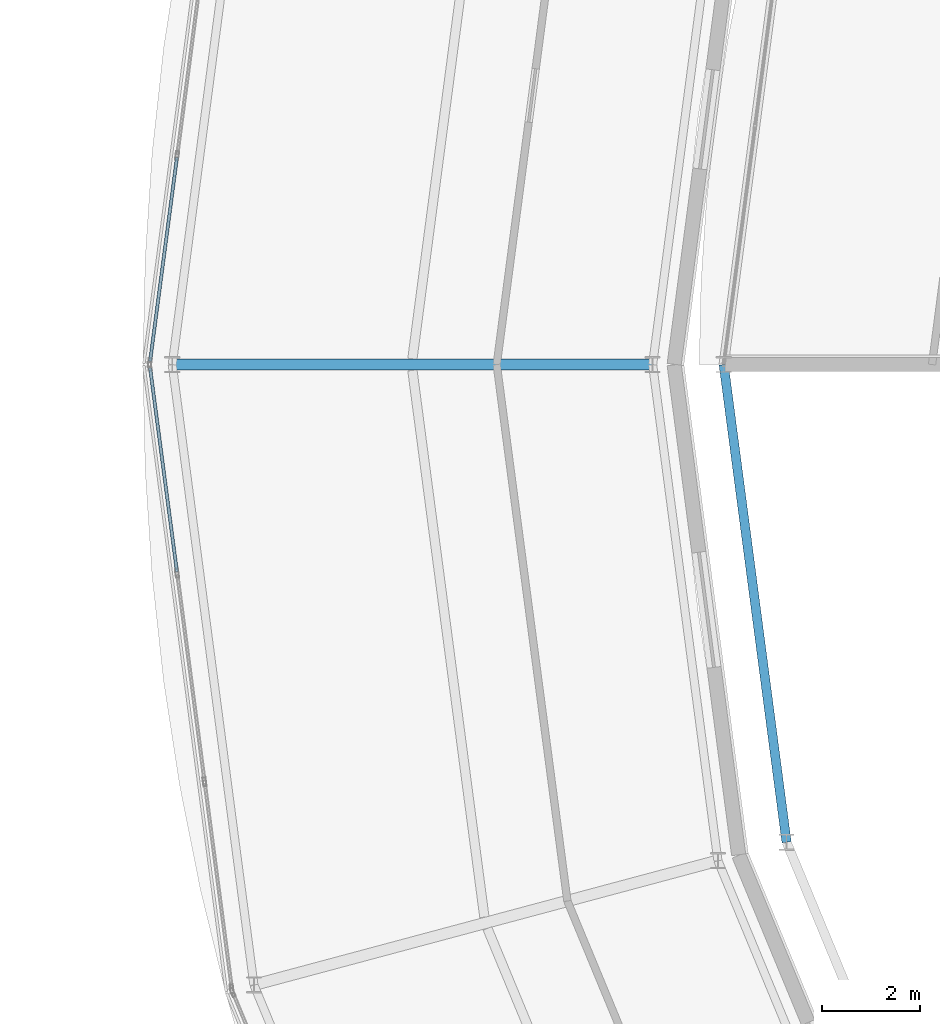
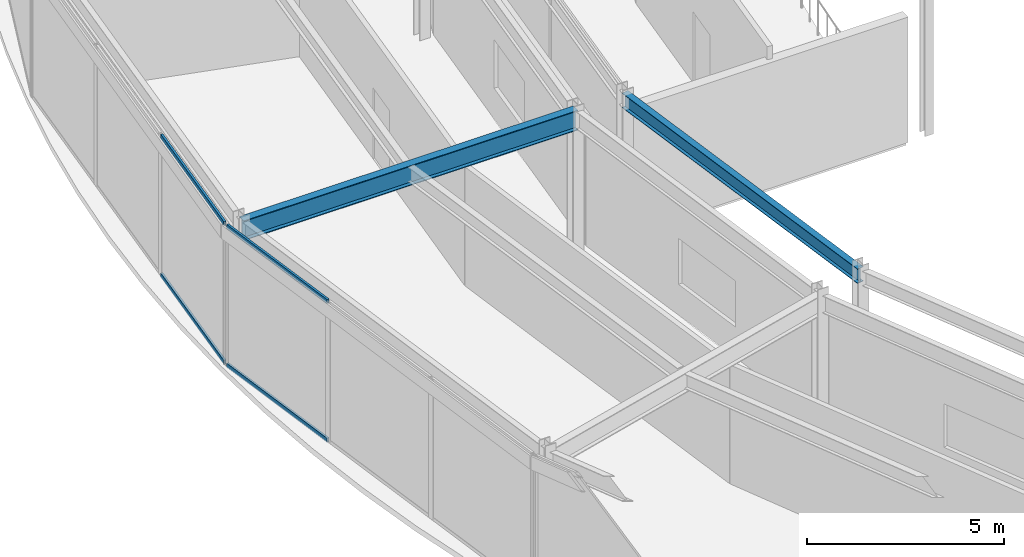
# One storey, part 31 of 133: 4 members, 2 beams, 2 elements without a shape of their own.
"""IFC4 building model written with IfcOpenShell, lengths in metres."""

from ifc_helpers import new_model, si_unit, direction, frame, origin, origin_2d, place, context, subcontext, project, spatial, hollow_rectangle, i_section, extrude, material, material_profile, profile_set, type_object, element, aggregate, save


model = new_model("IFC4")

# Units and contexts
model_context = context("Model", 3, precision=1e-05, world=origin(), true_north=direction((0.0, 1.0)))
body_context = subcontext(model_context, "Body", "Model", "MODEL_VIEW")
ifc_project = project(units=[si_unit("LENGTHUNIT", "METRE"), si_unit("AREAUNIT", "SQUARE_METRE"), si_unit("VOLUMEUNIT", "CUBIC_METRE"), si_unit("PLANEANGLEUNIT", "RADIAN"), si_unit("MASSUNIT", "GRAM", prefix="KILO")], contexts=[model_context])

# Site, building, storey
site_placement = place(None, origin())
site = spatial("IfcSite", under=ifc_project, at=site_placement, CompositionType="ELEMENT")
building_placement = place(site_placement, origin())
building = spatial("IfcBuilding", under=site, at=building_placement, Name="Almandine Court Research Institute", CompositionType="ELEMENT")
storey_placement = place(building_placement, frame((0.0, 0.0, 9.800048828125)))
storey = spatial("IfcBuildingStorey", under=building, at=storey_placement, Name="L02", CompositionType="ELEMENT", Elevation=9.800048828125)

# Beams
ifc_material_1 = material(Name="Steel ASTM A992 Grade 50", Category="steel")
ifc_material_profile_1 = material_profile(ifc_material_1, i_section(OverallWidth=0.18994140625, OverallDepth=0.45703125, WebThickness=0.009033203125, FlangeThickness=0.014892578125, at=origin_2d()), Name="W460x74")
ifc_profile_set_1 = profile_set([ifc_material_profile_1], Name="Steel ASTM A992 Grade 50")
beam_type_1 = type_object("IfcBeamType", Name="Beam-B-01", PredefinedType="BEAM", material=ifc_profile_set_1)
beam_1_placement = place(storey_placement, frame((49.35009765625, 56.0, 4.140869140625), z_axis=(0.130525188913, -0.991444993461, 0.0), x_axis=(0.991444993461, 0.130525188913, 0.0)))
element("IfcBeam", 1, at=beam_1_placement, inside=storey, type_object=beam_type_1, Name="L02 Atrium Outer Ring Beam", PredefinedType="BEAM", context=body_context, shape_type="SweptSolid", body=[
    extrude(i_section(OverallWidth=0.18994140625, OverallDepth=0.45703125, WebThickness=0.009033203125, FlangeThickness=0.014892578125, at=origin_2d()), origin(), (0.0, 0.0, 1.0), 9.8291015625),
])
ifc_material_profile_2 = material_profile(ifc_material_1, i_section(OverallWidth=0.22998046875, OverallDepth=0.616943359375, WebThickness=0.012939453125, FlangeThickness=0.02197265625, at=origin_2d()), Name="W610x140")
ifc_profile_set_2 = profile_set([ifc_material_profile_2], Name="Steel ASTM A992 Grade 50")
beam_type_2 = type_object("IfcBeamType", Name="Beam-G-02", PredefinedType="BEAM", material=ifc_profile_set_2)
beam_2_placement = place(storey_placement, frame((47.89990234375, 56.0, 4.06103515625), z_axis=(-1.0, 0.0, 0.0), x_axis=(0.0, -1.0, 0.0)))
element("IfcBeam", 2, at=beam_2_placement, inside=storey, type_object=beam_type_2, Name="L02 Drum Radial Girder 12", PredefinedType="BEAM", context=body_context, shape_type="SweptSolid", body=[
    extrude(i_section(OverallWidth=0.22998046875, OverallDepth=0.616943359375, WebThickness=0.012939453125, FlangeThickness=0.02197265625, at=origin_2d()), origin(), (0.0, 0.0, 1.0), 9.7998046875),
])

# Curtain wall, members
ifc_material_2 = material(Name="Unitised Curtain Wall Framing and Solar Glazing", Category="glass")
curtain_wall_type = type_object("IfcCurtainWallType", Name="CW-CWJ-19", PredefinedType="USERDEFINED", material=ifc_material_2)
curtain_wall_1_placement = place(storey_placement, origin())
curtain_wall_1 = element("IfcCurtainWall", 3, at=curtain_wall_1_placement, inside=storey, type_object=curtain_wall_type, Name="L02 Stacked-Ring Drum Outer Solar Jali Screen 11", ObjectType="SOLAR JALI SCREEN", PredefinedType="USERDEFINED")
ifc_material_3 = material(Name="Anodised Aluminium AW-6063-T6", Category="aluminium")
ifc_material_profile_3 = material_profile(ifc_material_3, hollow_rectangle(XDim=0.06494140625, YDim=0.1298828125, WallThickness=0.00390625, at=origin_2d()), Name="ALU RHS 65x130x4")
ifc_profile_set_3 = profile_set([ifc_material_profile_3], Name="Anodised Aluminium AW-6063-T6")
member_type = type_object("IfcMemberType", Name="CWTrn-65x130", PredefinedType="NOTDEFINED", material=ifc_profile_set_3)
member_1_placement = place(storey_placement, frame((37.6484375, 56.068359375, 0.032470703125), z_axis=(0.130535805655, 0.991443595694, 0.0), x_axis=(-0.991443595694, 0.130535805655, 0.0)))
member_1 = element("IfcMember", 4, at=member_1_placement, type_object=member_type, Name="CWJ-19 transom 1.1", ObjectType="TRANSOM", PredefinedType="USERDEFINED", context=body_context, shape_type="SweptSolid", body=[
    extrude(hollow_rectangle(XDim=0.06494140625, YDim=0.1298828125, WallThickness=0.00390625, at=origin_2d()), origin(), (0.0, 0.0, 1.0), 4.195068359375),
])
member_2_placement = place(storey_placement, frame((37.6484375, 56.068359375, 4.33740234375), z_axis=(0.130535805655, 0.991443595694, 0.0), x_axis=(-0.991443595694, 0.130535805655, 0.0)))
member_2 = element("IfcMember", 5, at=member_2_placement, type_object=member_type, Name="CWJ-19 transom 1.2", ObjectType="TRANSOM", PredefinedType="USERDEFINED", context=body_context, shape_type="SweptSolid", body=[
    extrude(hollow_rectangle(XDim=0.06494140625, YDim=0.1298828125, WallThickness=0.00390625, at=origin_2d()), origin(), (0.0, 0.0, 1.0), 4.195068359375),
])
aggregate(curtain_wall_1, [member_1, member_2])

curtain_wall_2_placement = place(storey_placement, origin())
curtain_wall_2 = element("IfcCurtainWall", 6, at=curtain_wall_2_placement, inside=storey, type_object=curtain_wall_type, Name="L02 Stacked-Ring Drum Outer Solar Jali Screen 12", ObjectType="SOLAR JALI SCREEN", PredefinedType="USERDEFINED")
member_3_placement = place(storey_placement, frame((38.196044921875, 51.7724609375, 0.032470703125), z_axis=(-0.130535805655, 0.991443595694, 0.0), x_axis=(-0.991443595694, -0.130535805655, 0.0)))
member_3 = element("IfcMember", 7, at=member_3_placement, type_object=member_type, Name="CWJ-19 transom 3.1", ObjectType="TRANSOM", PredefinedType="USERDEFINED", context=body_context, shape_type="SweptSolid", body=[
    extrude(hollow_rectangle(XDim=0.06494140625, YDim=0.1298828125, WallThickness=0.00390625, at=origin_2d()), origin(), (0.0, 0.0, 1.0), 4.195068359375),
])
member_4_placement = place(storey_placement, frame((38.196044921875, 51.7724609375, 4.33740234375), z_axis=(-0.130535805655, 0.991443595694, 0.0), x_axis=(-0.991443595694, -0.130535805655, 0.0)))
member_4 = element("IfcMember", 8, at=member_4_placement, type_object=member_type, Name="CWJ-19 transom 3.2", ObjectType="TRANSOM", PredefinedType="USERDEFINED", context=body_context, shape_type="SweptSolid", body=[
    extrude(hollow_rectangle(XDim=0.06494140625, YDim=0.1298828125, WallThickness=0.00390625, at=origin_2d()), origin(), (0.0, 0.0, 1.0), 4.195068359375),
])
aggregate(curtain_wall_2, [member_3, member_4])

save(model, "model.ifc")
